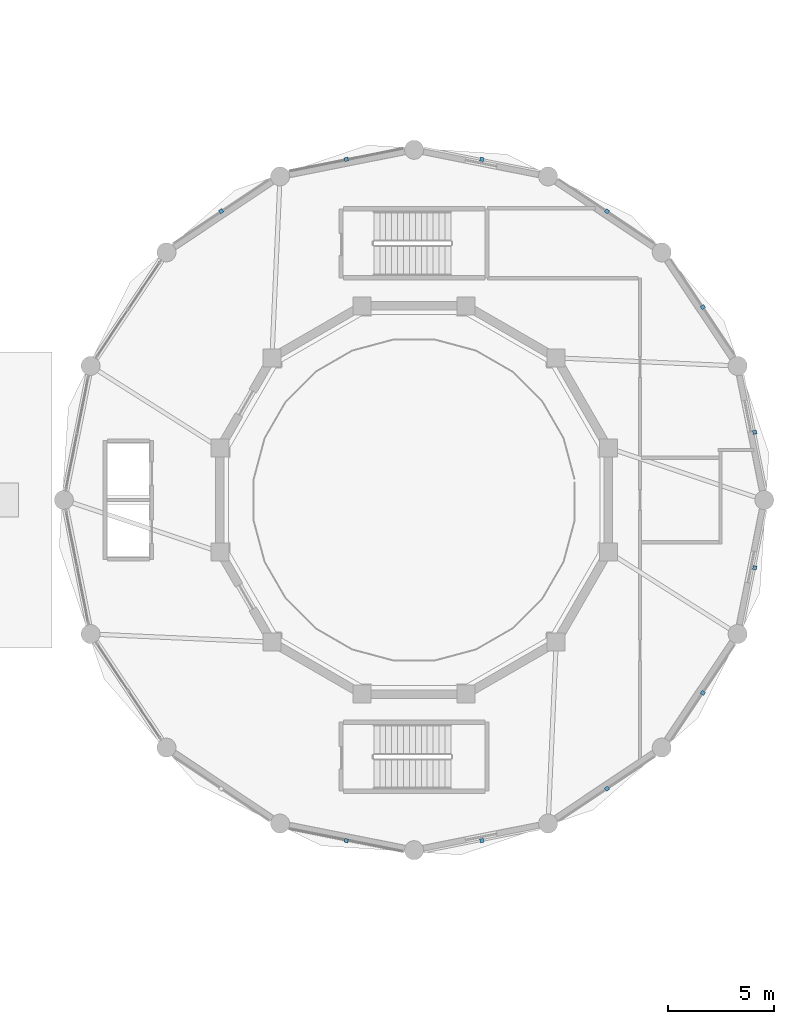
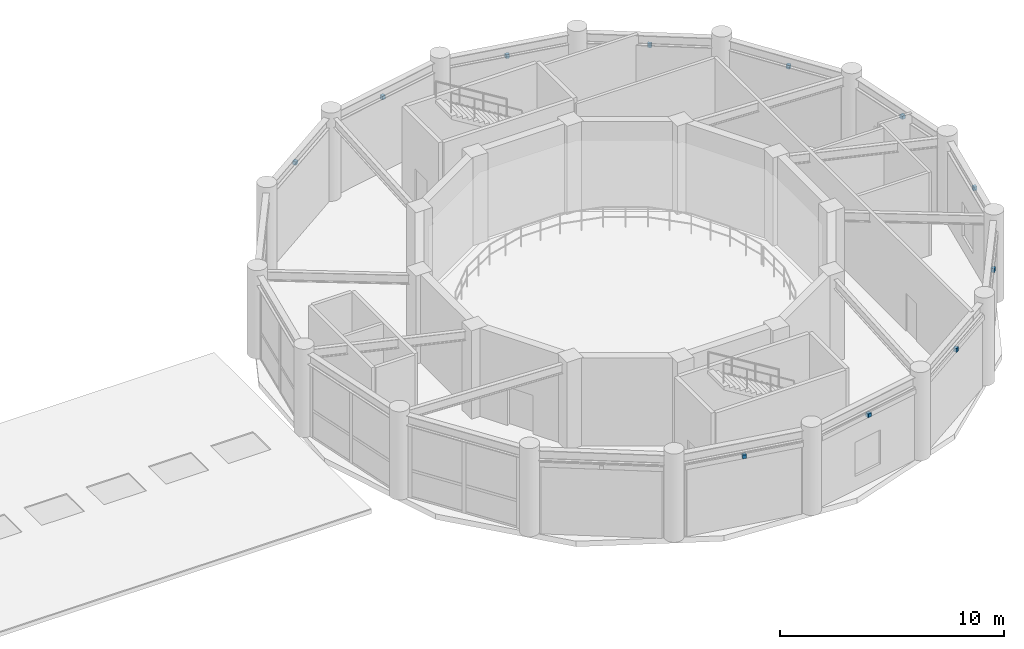
# One storey, part 27 of 34: 11 discrete accessories.
"""IFC4 building model written with IfcOpenShell, lengths in metres."""

from ifc_helpers import new_model, si_unit, derived_unit, direction, frame, origin, origin_2d, place, context, subcontext, project, spatial, rectangle, extrude, source, transform, mapped, material, type_object, element, save


model = new_model("IFC4")

# Units and contexts
model_context = context("Model", 3, precision=1e-05, world=origin(), true_north=direction((0.0, 1.0)))
body_context = subcontext(model_context, "Body", "Model", "MODEL_VIEW")
ifc_project = project(units=[si_unit("LENGTHUNIT", "METRE"), si_unit("AREAUNIT", "SQUARE_METRE"), si_unit("VOLUMEUNIT", "CUBIC_METRE"), si_unit("PLANEANGLEUNIT", "RADIAN"), si_unit("MASSUNIT", "GRAM", prefix="KILO"), derived_unit("THERMALTRANSMITTANCEUNIT", [(si_unit("POWERUNIT", "WATT"), 1), (si_unit("LENGTHUNIT", "METRE"), -2), (si_unit("THERMODYNAMICTEMPERATUREUNIT", "KELVIN"), -1)])], contexts=[model_context])

# Site, building, storey
site_placement = place(None, origin())
site = spatial("IfcSite", under=ifc_project, at=site_placement, CompositionType="ELEMENT")
building_placement = place(site_placement, origin())
building = spatial("IfcBuilding", under=site, at=building_placement, Name="Korsvarv Bourse and Concert Hall", CompositionType="ELEMENT")
storey_placement = place(building_placement, frame((0.0, 0.0, 14.39990234375)))
storey = spatial("IfcBuildingStorey", under=building, at=storey_placement, Name="L03", CompositionType="ELEMENT", Elevation=14.39990234375)

# Discrete accessories
ifc_material = material(Name="Stainless Steel S355 facade outrigger bracket", Category="steel")
discrete_accessory_type = type_object("IfcDiscreteAccessoryType", Name="ACC-BRK-1", PredefinedType="BRACKET", material=ifc_material)
shared_shape = source(origin(), body_context, "Body", "SweptSolid", [
    extrude(rectangle(XDim=0.179931640625, YDim=0.179931640625, at=origin_2d()), origin(), (0.0, 0.0, 1.0), 0.199951171875),
])
for number, where, z_axis, x_axis, name in (
    (1, (122.896484375, 39.201904296875, 3.68994140625), (0.0, 0.0, 1.0), (-0.195090322016, 0.980785280403, 0.0), "L03 terracotta sunshade bracket EW-L03-CHD01"),
    (2, (120.446044921875, 45.117919921875, 3.68994140625), (0.0, 0.0, 1.0), (-0.55557023302, 0.831469612303, 0.0), "L03 terracotta sunshade bracket EW-L03-CHD02"),
    (3, (115.91796875, 49.64599609375, 3.68994140625), (0.0, 0.0, 1.0), (-0.831469612303, 0.55557023302, 0.0), "L03 terracotta sunshade bracket EW-L03-CHD03"),
    (4, (110.001708984375, 52.0966796875, 3.68994140625), (0.0, 0.0, 1.0), (-0.980785280403, 0.195090322016, 0.0), "L03 terracotta sunshade bracket EW-L03-CHD04"),
    (5, (103.59814453125, 52.0966796875, 3.68994140625), (0.0, 0.0, 1.0), (-0.980785280403, -0.195090322016, 0.0), "L03 terracotta sunshade bracket EW-L03-CHD05"),
    (6, (97.681884765625, 49.64599609375, 3.68994140625), (0.0, 0.0, 1.0), (-0.831469612303, -0.55557023302, 0.0), "L03 terracotta sunshade bracket EW-L03-CHD06"),
    (7, (103.59814453125, 19.9033203125, 3.68994140625), (0.0, 0.0, 1.0), (0.980785280403, -0.195090322016, 0.0), "L03 terracotta sunshade bracket EW-L03-CHD12"),
    (8, (110.001708984375, 19.9033203125, 3.68994140625), (0.0, 0.0, 1.0), (0.980785280403, 0.195090322016, 0.0), "L03 terracotta sunshade bracket EW-L03-CHD13"),
    (9, (115.91796875, 22.35400390625, 3.68994140625), (0.0, 0.0, 1.0), (0.831469612303, 0.55557023302, 0.0), "L03 terracotta sunshade bracket EW-L03-CHD14"),
    (10, (120.446044921875, 26.882080078125, 3.68994140625), (0.0, 0.0, 1.0), (0.55557023302, 0.831469612303, 0.0), "L03 terracotta sunshade bracket EW-L03-CHD15"),
    (11, (122.896484375, 32.798095703125, 3.68994140625), (0.0, 0.0, 1.0), (0.195090322016, 0.980785280403, 0.0), "L03 terracotta sunshade bracket EW-L03-CHD16"),
):
    element("IfcDiscreteAccessory", number, at=place(storey_placement, frame(where, z_axis=z_axis, x_axis=x_axis)), inside=storey, type_object=discrete_accessory_type, Name=name, PredefinedType="BRACKET", context=body_context, shape_type="MappedRepresentation", body=[
        mapped(shared_shape, transform((0.0, 0.0, 0.0), scale=1.0)),
    ])

save(model, "model.ifc")
